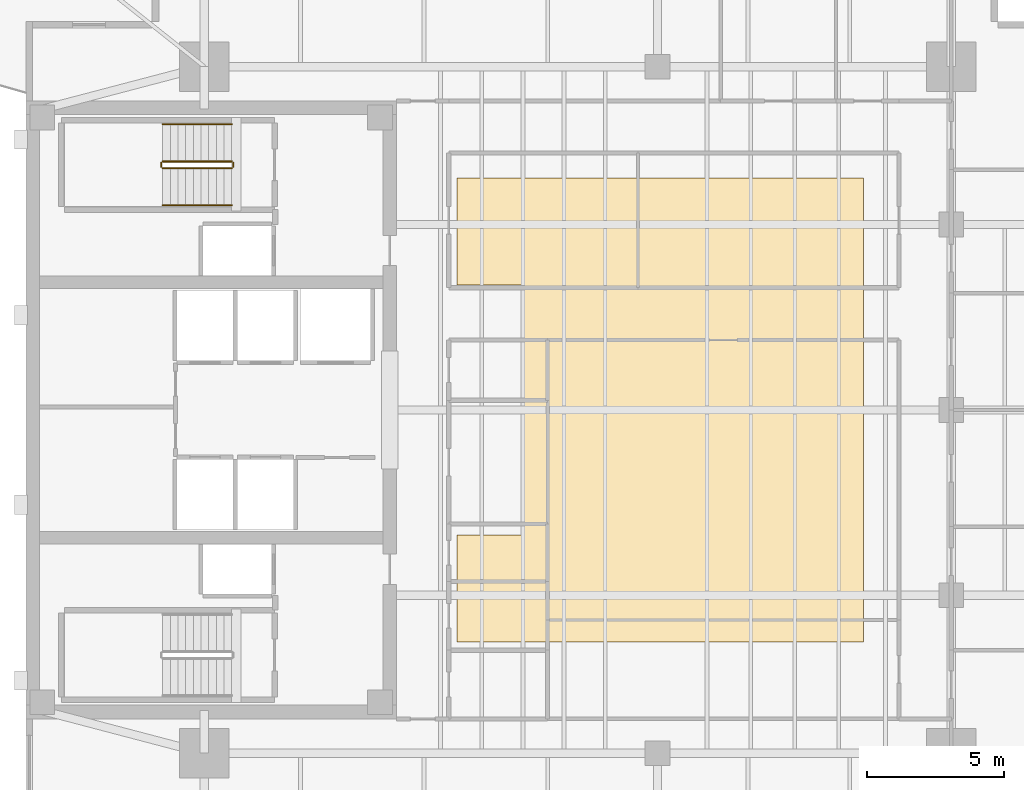
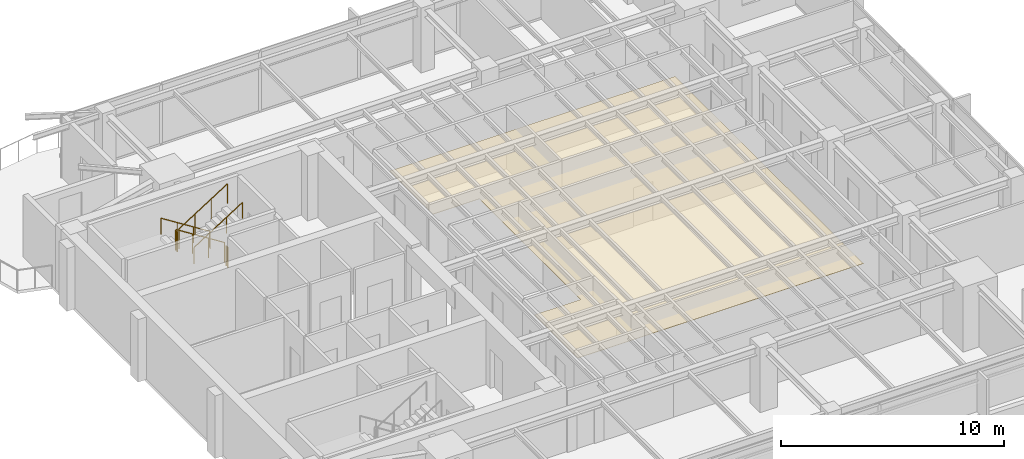
# One storey, part 13 of 14: 6 railings, 1 covering.
"""IFC4 building model written with IfcOpenShell, lengths in metres."""

from ifc_helpers import new_model, si_unit, direction, frame, origin, origin_2d, place, context, subcontext, project, spatial, polyline, circle, outline, extrude, material, layer, layer_set, type_object, element, save


model = new_model("IFC4")

# Units and contexts
model_context = context("Model", 3, precision=1e-05, world=origin(), true_north=direction((0.0, 1.0)))
body_context = subcontext(model_context, "Body", "Model", "MODEL_VIEW")
ifc_project = project(units=[si_unit("LENGTHUNIT", "METRE"), si_unit("AREAUNIT", "SQUARE_METRE"), si_unit("VOLUMEUNIT", "CUBIC_METRE"), si_unit("PLANEANGLEUNIT", "RADIAN"), si_unit("MASSUNIT", "GRAM", prefix="KILO")], contexts=[model_context])

# Site, building, storey
site_placement = place(None, origin())
site = spatial("IfcSite", under=ifc_project, at=site_placement, CompositionType="ELEMENT")
building_placement = place(site_placement, origin())
building = spatial("IfcBuilding", under=site, at=building_placement, Name="Kinhvarn Gate Tower", CompositionType="ELEMENT")
storey_placement = place(building_placement, frame((0.0, 0.0, 284.75)))
storey = spatial("IfcBuildingStorey", under=building, at=storey_placement, Name="L76", CompositionType="ELEMENT", Elevation=284.75)

# Covering
ifc_material_1 = material(Name="Mineral-fibre acoustic ceiling tile")
ifc_layer = layer(ifc_material_1, 0.02001953125)
ifc_layer_set = layer_set([ifc_layer], Name="Mineral-fibre acoustic ceiling tile")
covering_type = type_object("IfcCoveringType", Name="COV-CEIL-20", PredefinedType="CEILING", material=ifc_layer_set)
covering_placement = place(storey_placement, frame((0.0, 0.0, 2.64990234375)))
element("IfcCovering", 1, at=covering_placement, inside=storey, type_object=covering_type, Name="Suspended Acoustic Ceiling Tile (L76-1)", PredefinedType="CEILING", context=body_context, shape_type="SweptSolid", body=[
    extrude(outline(polyline([(35.0, 33.699951171875), (35.0, 16.800048828125), (20.199951171875, 16.800048828125), (20.199951171875, 20.699951171875), (22.60009765625, 20.699951171875), (22.60009765625, 29.800048828125), (20.199951171875, 29.800048828125), (20.199951171875, 33.699951171875), (35.0, 33.699951171875)])), origin(), (0.0, 0.0, 1.0), 0.02001953125),
])

# Railings
ifc_material_2 = material(Name="Steel S355", Category="steel")
railing_type_1 = type_object("IfcRailingType", Name="RL-ST-GRD", PredefinedType="BALUSTRADE", material=ifc_material_2)
railing_1_placement = place(storey_placement, frame((12.0, 34.300048828125, 0.177490234375)))
element("IfcRailing", 2, at=railing_1_placement, inside=storey, type_object=railing_type_1, Name="L76 ST2 stair guard 1", PredefinedType="BALUSTRADE", context=body_context, shape_type="SweptSolid", body=[
    extrude(circle(Radius=0.02392578125, at=origin_2d()), frame((0.0, 0.0, 1.076171875), z_axis=(-0.84460694969, 0.0, 0.535386869969), x_axis=(0.0, -1.0, 0.0)), (0.0, 0.0, 1.0), 2.983642578125),
    extrude(circle(Radius=0.02099609375, at=origin_2d()), origin(), (0.0, 0.0, 1.0), 1.052001953125),
    extrude(circle(Radius=0.02099609375, at=origin_2d()), frame((-0.840087890625, 0.0, 0.532470703125)), (0.0, 0.0, 1.0), 1.052001953125),
    extrude(circle(Radius=0.02099609375, at=origin_2d()), frame((-1.679931640625, 0.0, 1.06494140625)), (0.0, 0.0, 1.0), 1.052001953125),
    extrude(circle(Radius=0.02099609375, at=origin_2d()), frame((-2.52001953125, 0.0, 1.597412109375)), (0.0, 0.0, 1.0), 1.052001953125),
])
railing_2_placement = place(storey_placement, frame((9.429931640625, 34.25, 1.77490234375)))
element("IfcRailing", 3, at=railing_2_placement, inside=storey, type_object=railing_type_1, Name="L76 ST2 stair guard 2", PredefinedType="BALUSTRADE", context=body_context, shape_type="SweptSolid", body=[
    extrude(circle(Radius=0.02392578125, at=origin_2d()), frame((0.0, 0.0, 1.076171875), z_axis=(0.0, -1.0, 0.0), x_axis=(1.0, 0.0, 0.0)), (0.0, 0.0, 1.0), 0.14990234375),
    extrude(circle(Radius=0.02099609375, at=origin_2d()), origin(), (0.0, 0.0, 1.0), 1.052001953125),
    extrude(circle(Radius=0.02099609375, at=origin_2d()), frame((0.0, -0.14990234375, 0.0)), (0.0, 0.0, 1.0), 1.052001953125),
])
railing_3_placement = place(storey_placement, frame((9.47998046875, 34.050048828125, 1.952392578125)))
element("IfcRailing", 4, at=railing_3_placement, inside=storey, type_object=railing_type_1, Name="L76 ST2 stair guard 3", PredefinedType="BALUSTRADE", context=body_context, shape_type="SweptSolid", body=[
    extrude(circle(Radius=0.02392578125, at=origin_2d()), frame((0.0, 0.0, 1.076171875), z_axis=(0.84456994832, 0.0, 0.535445237532), x_axis=(0.0, 1.0, 0.0)), (0.0, 0.0, 1.0), 2.98388671875),
    extrude(circle(Radius=0.02099609375, at=origin_2d()), origin(), (0.0, 0.0, 1.0), 1.052001953125),
    extrude(circle(Radius=0.02099609375, at=origin_2d()), frame((0.840087890625, 0.0, 0.532470703125)), (0.0, 0.0, 1.0), 1.052001953125),
    extrude(circle(Radius=0.02099609375, at=origin_2d()), frame((1.679931640625, 0.0, 1.065185546875)), (0.0, 0.0, 1.0), 1.052001953125),
    extrude(circle(Radius=0.02099609375, at=origin_2d()), frame((2.52001953125, 0.0, 1.59765625)), (0.0, 0.0, 1.0), 1.052001953125),
])
railing_4_placement = place(storey_placement, frame((12.050048828125, 34.25, 0.0)))
element("IfcRailing", 5, at=railing_4_placement, inside=storey, type_object=railing_type_1, Name="L76 ST2 stair guard 4", PredefinedType="BALUSTRADE", context=body_context, shape_type="SweptSolid", body=[
    extrude(circle(Radius=0.02392578125, at=origin_2d()), frame((0.0, 0.0, 1.076171875), z_axis=(0.0, -1.0, 0.0), x_axis=(1.0, 0.0, 0.0)), (0.0, 0.0, 1.0), 0.14990234375),
    extrude(circle(Radius=0.02099609375, at=origin_2d()), origin(), (0.0, 0.0, 1.0), 1.052001953125),
    extrude(circle(Radius=0.02099609375, at=origin_2d()), frame((0.0, -0.14990234375, 0.0)), (0.0, 0.0, 1.0), 1.052001953125),
])
railing_type_2 = type_object("IfcRailingType", Name="RL-ST-HND", PredefinedType="HANDRAIL", material=ifc_material_2)
railing_5_placement = place(storey_placement, frame((12.0, 35.64990234375, 0.177490234375)))
element("IfcRailing", 6, at=railing_5_placement, inside=storey, type_object=railing_type_2, Name="L76 ST2 stair handrail 1", PredefinedType="HANDRAIL", context=body_context, shape_type="SweptSolid", body=[
    extrude(circle(Radius=0.02392578125, at=origin_2d()), frame((0.0, 0.0, 0.8759765625), z_axis=(-0.84460694969, 0.0, 0.535386869969), x_axis=(0.0, -1.0, 0.0)), (0.0, 0.0, 1.0), 2.983642578125),
    extrude(circle(Radius=0.02099609375, at=origin_2d()), origin(), (0.0, 0.0, 1.0), 0.851806640625),
    extrude(circle(Radius=0.02099609375, at=origin_2d()), frame((-0.840087890625, 0.0, 0.532470703125)), (0.0, 0.0, 1.0), 0.851806640625),
    extrude(circle(Radius=0.02099609375, at=origin_2d()), frame((-1.679931640625, 0.0, 1.06494140625)), (0.0, 0.0, 1.0), 0.851806640625),
    extrude(circle(Radius=0.02099609375, at=origin_2d()), frame((-2.52001953125, 0.0, 1.597412109375)), (0.0, 0.0, 1.0), 0.851806640625),
])
railing_6_placement = place(storey_placement, frame((9.47998046875, 32.699951171875, 1.952392578125)))
element("IfcRailing", 7, at=railing_6_placement, inside=storey, type_object=railing_type_2, Name="L76 ST2 stair handrail 2", PredefinedType="HANDRAIL", context=body_context, shape_type="SweptSolid", body=[
    extrude(circle(Radius=0.02392578125, at=origin_2d()), frame((0.0, 0.0, 0.8759765625), z_axis=(0.84456994832, 0.0, 0.535445237532), x_axis=(0.0, 1.0, 0.0)), (0.0, 0.0, 1.0), 2.98388671875),
    extrude(circle(Radius=0.02099609375, at=origin_2d()), origin(), (0.0, 0.0, 1.0), 0.851806640625),
    extrude(circle(Radius=0.02099609375, at=origin_2d()), frame((0.840087890625, 0.0, 0.532470703125)), (0.0, 0.0, 1.0), 0.851806640625),
    extrude(circle(Radius=0.02099609375, at=origin_2d()), frame((1.679931640625, 0.0, 1.065185546875)), (0.0, 0.0, 1.0), 0.851806640625),
    extrude(circle(Radius=0.02099609375, at=origin_2d()), frame((2.52001953125, 0.0, 1.59765625)), (0.0, 0.0, 1.0), 0.851806640625),
])

save(model, "model.ifc")
